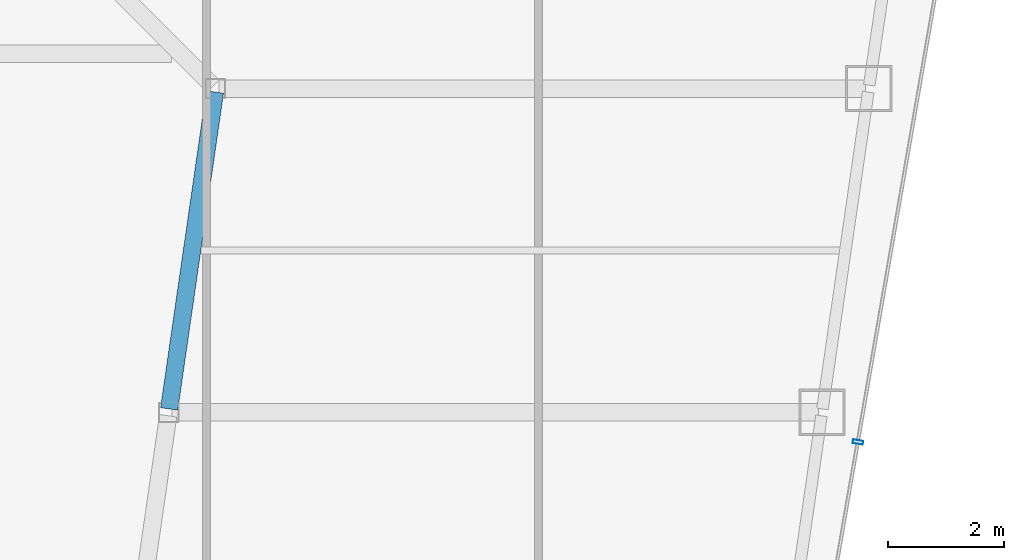
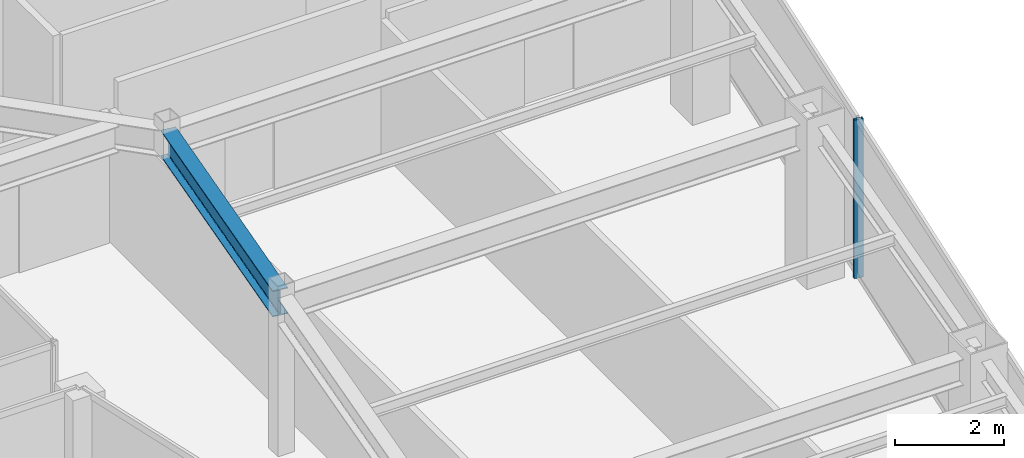
# One storey, part 16 of 32: 1 beam, 1 member, 1 element without a shape of its own.
"""IFC4 building model written with IfcOpenShell, lengths in metres."""

from ifc_helpers import new_model, si_unit, direction, frame, origin, origin_2d, place, context, subcontext, project, spatial, hollow_rectangle, i_section, extrude, material, material_profile, profile_set, type_object, element, aggregate, save


model = new_model("IFC4")

# Units and contexts
model_context = context("Model", 3, precision=1e-05, world=origin(), true_north=direction((0.0, 1.0)))
body_context = subcontext(model_context, "Body", "Model", "MODEL_VIEW")
ifc_project = project(units=[si_unit("LENGTHUNIT", "METRE"), si_unit("AREAUNIT", "SQUARE_METRE"), si_unit("VOLUMEUNIT", "CUBIC_METRE"), si_unit("PLANEANGLEUNIT", "RADIAN"), si_unit("MASSUNIT", "GRAM", prefix="KILO")], contexts=[model_context])

# Site, building, storey
site_placement = place(None, origin())
site = spatial("IfcSite", under=ifc_project, at=site_placement, CompositionType="ELEMENT")
building_placement = place(site_placement, origin())
building = spatial("IfcBuilding", under=site, at=building_placement, Name="Saevonmaru Cultural Tower", CompositionType="ELEMENT")
storey_placement = place(building_placement, frame((0.0, 0.0, 242.0)))
storey = spatial("IfcBuildingStorey", under=building, at=storey_placement, Name="L56", CompositionType="ELEMENT", Elevation=242.0)

# Beam
ifc_material_1 = material(Name="Steel SM355", Category="steel")
ifc_material_profile_1 = material_profile(ifc_material_1, i_section(OverallWidth=0.300048828125, OverallDepth=0.587890625, WebThickness=0.011962890625, FlangeThickness=0.02001953125, FilletRadius=0.02392578125, at=origin_2d()), Name="H-588x300x12x20")
ifc_profile_set_1 = profile_set([ifc_material_profile_1], Name="Steel SM355")
beam_type = type_object("IfcBeamType", Name="BM-G-H588", PredefinedType="BEAM", material=ifc_profile_set_1)
beam_placement = place(storey_placement, frame((40.3916015625, 32.059326171875, 3.256103515625), z_axis=(0.142964121327, 0.989727871697, 0.0), x_axis=(-0.989727871697, 0.142964121327, 0.0)))
element("IfcBeam", 1, at=beam_placement, inside=storey, type_object=beam_type, Name="L56 East Atrium Girder 3", PredefinedType="BEAM", context=body_context, shape_type="SweptSolid", body=[
    extrude(i_section(OverallWidth=0.300048828125, OverallDepth=0.587890625, WebThickness=0.011962890625, FlangeThickness=0.02001953125, FilletRadius=0.02392578125, at=origin_2d()), origin(), (0.0, 0.0, 1.0), 5.5380859375),
])

# Curtain wall, member
ifc_material_2 = material(Name="Satin Bronze Anodised Aluminium", Category="aluminium")
curtain_wall_type = type_object("IfcCurtainWallType", Name="CW-TYP-B", PredefinedType="NOTDEFINED", material=ifc_material_2)
curtain_wall_placement = place(storey_placement, origin())
curtain_wall = element("IfcCurtainWall", 2, at=curtain_wall_placement, inside=storey, type_object=curtain_wall_type, Name="L56 Unitised Curtain Wall E8", PredefinedType="NOTDEFINED")
ifc_material_profile_2 = material_profile(ifc_material_2, hollow_rectangle(XDim=0.06494140625, YDim=0.179931640625, WallThickness=0.00390625, at=origin_2d()), Name="ALU-MULL-180x65x4")
ifc_profile_set_2 = profile_set([ifc_material_profile_2], Name="Satin Bronze Anodised Aluminium")
member_type = type_object("IfcMemberType", Name="ML-CW-180x65", PredefinedType="MULLION", material=ifc_profile_set_2)
member_placement = place(storey_placement, frame((52.3056640625, 31.486328125, 0.0), z_axis=(0.0, 0.0, 1.0), x_axis=(0.170790369887, 0.985307388359, 0.0)))
member = element("IfcMember", 3, at=member_placement, type_object=member_type, Name="CW-TW-L56-E8 mullion 2", PredefinedType="MULLION", context=body_context, shape_type="SweptSolid", body=[
    extrude(hollow_rectangle(XDim=0.06494140625, YDim=0.179931640625, WallThickness=0.00390625, at=origin_2d()), origin(), (0.0, 0.0, 1.0), 3.550048828125),
])
aggregate(curtain_wall, [member])

save(model, "model.ifc")
